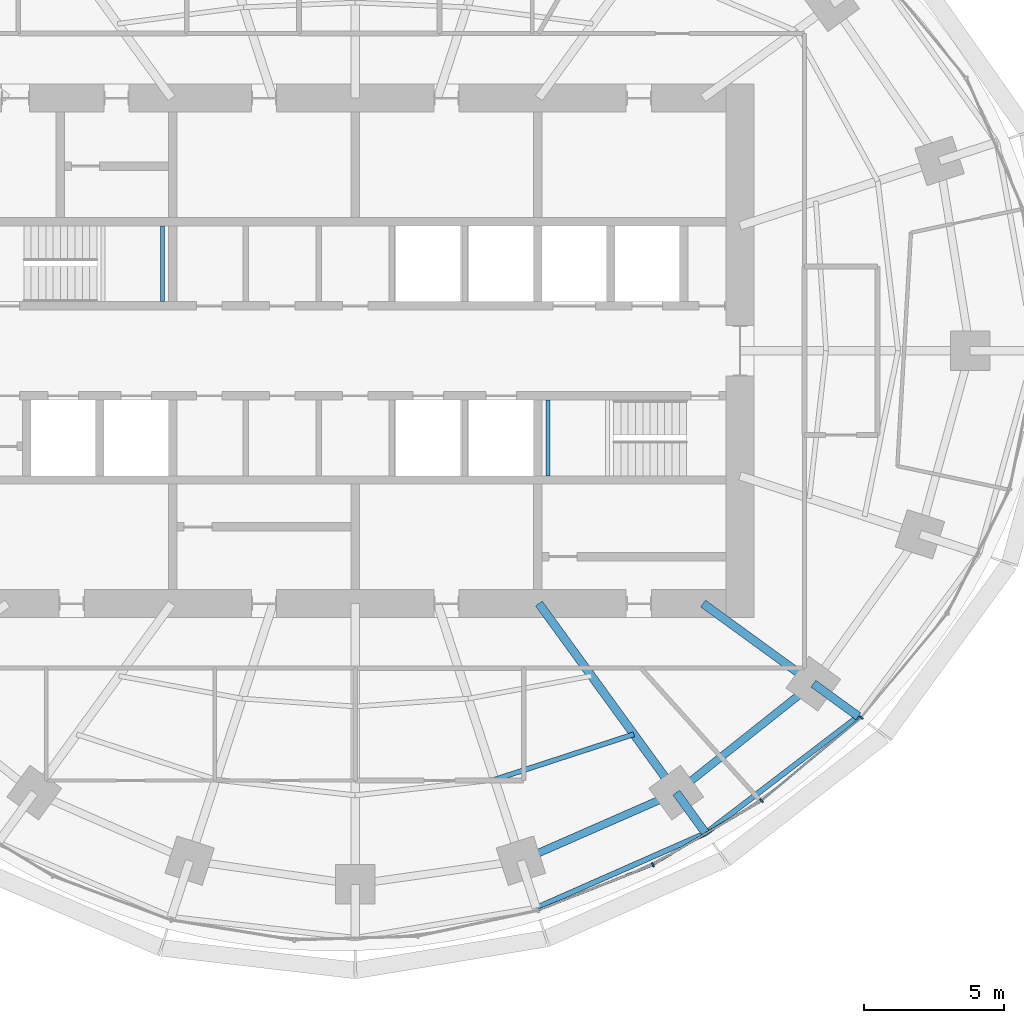
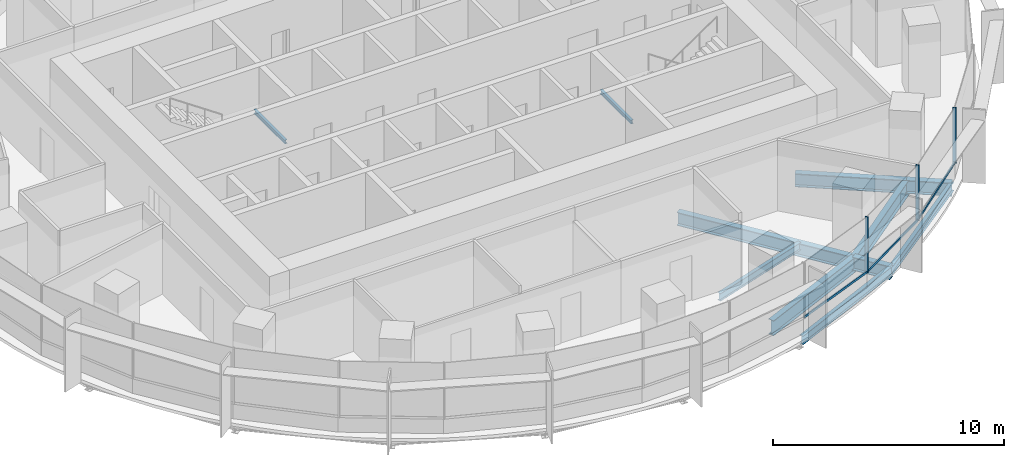
# One storey, part 5 of 14: 11 beams, 6 members, 2 elements without a shape of their own.
"""IFC4 building model written with IfcOpenShell, lengths in metres."""

from ifc_helpers import new_model, si_unit, direction, frame, origin, origin_2d, place, context, subcontext, project, spatial, rectangle, i_section, extrude, material, material_profile, profile_set, type_object, element, aggregate, save


model = new_model("IFC4")

# Units and contexts
model_context = context("Model", 3, precision=1e-05, world=origin(), true_north=direction((0.0, 1.0)))
body_context = subcontext(model_context, "Body", "Model", "MODEL_VIEW")
ifc_project = project(units=[si_unit("LENGTHUNIT", "METRE"), si_unit("AREAUNIT", "SQUARE_METRE"), si_unit("VOLUMEUNIT", "CUBIC_METRE"), si_unit("PLANEANGLEUNIT", "RADIAN"), si_unit("MASSUNIT", "GRAM", prefix="KILO")], contexts=[model_context])

# Site, building, storey
site_placement = place(None, origin())
site = spatial("IfcSite", under=ifc_project, at=site_placement, CompositionType="ELEMENT")
building_placement = place(site_placement, origin())
building = spatial("IfcBuilding", under=site, at=building_placement, Name="Marramba Exchange Tower", CompositionType="ELEMENT")
storey_placement = place(building_placement, frame((0.0, 0.0, 203.300048828125)))
storey = spatial("IfcBuildingStorey", under=building, at=storey_placement, Name="L49", CompositionType="ELEMENT", Elevation=203.300048828125)

# Beams
ifc_material_1 = material(Name="Steel AS/NZS 3679.2 grade 300", Category="steel")
ifc_material_profile_1 = material_profile(ifc_material_1, i_section(OverallWidth=0.300048828125, OverallDepth=0.699951171875, WebThickness=0.010009765625, FlangeThickness=0.031982421875, at=origin_2d()), Name="700WB173")
ifc_profile_set_1 = profile_set([ifc_material_profile_1], Name="Steel AS/NZS 3679.2 grade 300")
beam_type_1 = type_object("IfcBeamType", Name="Cantilever girder 700WB173", PredefinedType="BEAM", material=ifc_profile_set_1)
beam_1_placement = place(storey_placement, frame((11.430419921875, -15.732666015625, -0.510009765625), z_axis=(0.58783009415, -0.808984412959, 0.0), x_axis=(0.808984412959, 0.58783009415, 0.0)))
element("IfcBeam", 1, at=beam_1_placement, inside=storey, type_object=beam_type_1, Name="Cantilever girder L49 TC18", PredefinedType="BEAM", context=body_context, shape_type="SweptSolid", body=[
    extrude(i_section(OverallWidth=0.300048828125, OverallDepth=0.699951171875, WebThickness=0.010009765625, FlangeThickness=0.031982421875, at=origin_2d()), origin(), (0.0, 0.0, 1.0), 1.78515625),
])
beam_2_placement = place(storey_placement, frame((16.3154296875, -11.853759765625, -0.510009765625), z_axis=(0.808970801893, -0.587848825537, 0.0), x_axis=(0.587848825537, 0.808970801893, 0.0)))
element("IfcBeam", 2, at=beam_2_placement, inside=storey, type_object=beam_type_1, Name="Cantilever girder L49 TC19", PredefinedType="BEAM", context=body_context, shape_type="SweptSolid", body=[
    extrude(i_section(OverallWidth=0.300048828125, OverallDepth=0.699951171875, WebThickness=0.010009765625, FlangeThickness=0.031982421875, at=origin_2d()), origin(), (0.0, 0.0, 1.0), 1.978515625),
])
ifc_material_2 = material(Name="Steel AS/NZS 3679.1 grade 300", Category="steel")
ifc_material_profile_2 = material_profile(ifc_material_2, i_section(OverallWidth=0.177978515625, OverallDepth=0.406005859375, WebThickness=0.0078125, FlangeThickness=0.0126953125, FilletRadius=0.011474609375, at=origin_2d()), Name="410UB59.7")
ifc_profile_set_2 = profile_set([ifc_material_profile_2], Name="Steel AS/NZS 3679.1 grade 300")
beam_type_2 = type_object("IfcBeamType", Name="Floor joist 410UB59.7", PredefinedType="JOIST", material=ifc_profile_set_2)
beam_3_placement = place(storey_placement, frame((4.9619140625, -15.271484375, -0.363037109375), z_axis=(0.950764024931, 0.309915744834, 0.0), x_axis=(-0.309915744834, 0.950764024931, 0.0)))
element("IfcBeam", 3, at=beam_3_placement, inside=storey, type_object=beam_type_2, Name="Joist L49 bay 17 row 2", PredefinedType="JOIST", context=body_context, shape_type="SweptSolid", body=[
    extrude(i_section(OverallWidth=0.177978515625, OverallDepth=0.406005859375, WebThickness=0.0078125, FlangeThickness=0.0126953125, FilletRadius=0.011474609375, at=origin_2d()), origin(), (0.0, 0.0, 1.0), 5.2158203125),
])

# Curtain wall, members
ifc_material_3 = material(Name="Aluminium framing, bronze anodised", Category="aluminium")
curtain_wall_type = type_object("IfcCurtainWallType", Name="Office ribbon curtain wall", PredefinedType="USERDEFINED", material=ifc_material_3)
curtain_wall_1_placement = place(storey_placement, origin())
curtain_wall_1 = element("IfcCurtainWall", 4, at=curtain_wall_1_placement, inside=storey, type_object=curtain_wall_type, Name="Curtain wall CW4 L49 F26-F30", ObjectType="RIBBON CURTAIN WALL", PredefinedType="USERDEFINED")
ifc_material_4 = material(Name="Aluminium mullion, bronze anodised", Category="aluminium")
ifc_material_profile_3 = material_profile(ifc_material_4, rectangle(XDim=0.159912109375, YDim=0.06005859375, at=origin_2d()), Name="CW4 mullion 60x160")
ifc_profile_set_3 = profile_set([ifc_material_profile_3], Name="Aluminium mullion, bronze anodised")
member_type_1 = type_object("IfcMemberType", Name="Office ribbon curtain wall mullion", PredefinedType="MULLION", material=ifc_profile_set_3)
member_1_placement = place(storey_placement, frame((10.60009765625, -18.2998046875, 0.800048828125), z_axis=(0.0, 0.0, 1.0), x_axis=(-0.508010571686, 0.861350833897, 0.0)))
member_1 = element("IfcMember", 5, at=member_1_placement, type_object=member_type_1, Name="CW4 mullion 1", PredefinedType="MULLION", context=body_context, shape_type="SweptSolid", body=[
    extrude(rectangle(XDim=0.159912109375, YDim=0.06005859375, at=origin_2d()), origin(), (0.0, 0.0, 1.0), 2.93994140625),
])
member_2_placement = place(storey_placement, frame((14.461669921875, -16.0166015625, 0.800048828125), z_axis=(0.0, 0.0, 1.0), x_axis=(-0.639565270127, 0.768736798421, 0.0)))
member_2 = element("IfcMember", 6, at=member_2_placement, type_object=member_type_1, Name="CW4 mullion 1", PredefinedType="MULLION", context=body_context, shape_type="SweptSolid", body=[
    extrude(rectangle(XDim=0.159912109375, YDim=0.06005859375, at=origin_2d()), origin(), (0.0, 0.0, 1.0), 2.93994140625),
])
member_3_placement = place(storey_placement, frame((18.01611328125, -13.052490234375, 0.800048828125), z_axis=(0.0, 0.0, 1.0), x_axis=(-0.769912069289, 0.63814998673, 0.0)))
member_3 = element("IfcMember", 7, at=member_3_placement, type_object=member_type_1, Name="CW4 mullion 1", PredefinedType="MULLION", context=body_context, shape_type="SweptSolid", body=[
    extrude(rectangle(XDim=0.159912109375, YDim=0.06005859375, at=origin_2d()), origin(), (0.0, 0.0, 1.0), 2.93994140625),
])

# Curtain wall, member
curtain_wall_2_placement = place(storey_placement, origin())
curtain_wall_2 = element("IfcCurtainWall", 8, at=curtain_wall_2_placement, inside=storey, type_object=curtain_wall_type, Name="Curtain wall CW4 L49 F21-F25", ObjectType="RIBBON CURTAIN WALL", PredefinedType="USERDEFINED")
ifc_material_5 = material(Name="Aluminium transom, bronze anodised", Category="aluminium")
ifc_material_profile_4 = material_profile(ifc_material_5, rectangle(XDim=0.06005859375, YDim=0.1201171875, at=origin_2d()), Name="CW4 transom 60x120")
ifc_profile_set_4 = profile_set([ifc_material_profile_4], Name="Aluminium transom, bronze anodised")
member_type_2 = type_object("IfcMemberType", Name="Office ribbon curtain wall transom", PredefinedType="USERDEFINED", material=ifc_profile_set_4)
member_4_placement = place(storey_placement, frame((6.53271484375, -19.911376953125, 0.829833984375), z_axis=(0.930068344217, 0.367386547229, 0.0), x_axis=(-0.367386547229, 0.930068344217, 0.0)))
member_4 = element("IfcMember", 9, at=member_4_placement, type_object=member_type_2, Name="CW4 sill transom", ObjectType="TRANSOM", PredefinedType="USERDEFINED", context=body_context, shape_type="SweptSolid", body=[
    extrude(rectangle(XDim=0.06005859375, YDim=0.1201171875, at=origin_2d()), origin(), (0.0, 0.0, 1.0), 4.345458984375),
])
aggregate(curtain_wall_2, [member_4])

# Member
member_5_placement = place(storey_placement, frame((10.6259765625, -18.28466796875, 0.829833984375), z_axis=(0.861342387959, 0.508024891816, 0.0), x_axis=(-0.508024891816, 0.861342387959, 0.0)))
member_5 = element("IfcMember", 10, at=member_5_placement, type_object=member_type_2, Name="CW4 sill transom", ObjectType="TRANSOM", PredefinedType="USERDEFINED", context=body_context, shape_type="SweptSolid", body=[
    extrude(rectangle(XDim=0.06005859375, YDim=0.1201171875, at=origin_2d()), origin(), (0.0, 0.0, 1.0), 4.426513671875),
])

member_6_placement = place(storey_placement, frame((14.48486328125, -15.99755859375, 0.829833984375), z_axis=(0.768707257272, 0.639600775967, 0.0), x_axis=(-0.639600775967, 0.768707257272, 0.0)))
member_6 = element("IfcMember", 11, at=member_6_placement, type_object=member_type_2, Name="CW4 sill transom", ObjectType="TRANSOM", PredefinedType="USERDEFINED", context=body_context, shape_type="SweptSolid", body=[
    extrude(rectangle(XDim=0.06005859375, YDim=0.1201171875, at=origin_2d()), origin(), (0.0, 0.0, 1.0), 4.568603515625),
])

aggregate(curtain_wall_1, [member_1, member_5, member_2, member_6, member_3])

# Beams
ifc_material_profile_5 = material_profile(ifc_material_1, i_section(OverallWidth=0.300048828125, OverallDepth=0.699951171875, WebThickness=0.010009765625, FlangeThickness=0.031982421875, at=origin_2d()), Name="700WB173")
ifc_profile_set_5 = profile_set([ifc_material_profile_5], Name="Steel AS/NZS 3679.2 grade 300")
beam_type_3 = type_object("IfcBeamType", Name="Radial girder 700WB173", PredefinedType="BEAM", material=ifc_profile_set_5)
beam_4_placement = place(storey_placement, frame((6.538818359375, -9.0, -0.510009765625), z_axis=(0.587787877172, -0.809015087282, 0.0), x_axis=(0.809015087282, 0.587787877172, 0.0)))
element("IfcBeam", 12, at=beam_4_placement, inside=storey, type_object=beam_type_3, Name="Radial girder L49 TC18", PredefinedType="BEAM", context=body_context, shape_type="SweptSolid", body=[
    extrude(i_section(OverallWidth=0.300048828125, OverallDepth=0.699951171875, WebThickness=0.010009765625, FlangeThickness=0.031982421875, at=origin_2d()), origin(), (0.0, 0.0, 1.0), 8.322021484375),
])
beam_5_placement = place(storey_placement, frame((12.387451171875, -9.0, -0.510009765625), z_axis=(0.809025189606, -0.58777397236, 0.0), x_axis=(0.58777397236, 0.809025189606, 0.0)))
element("IfcBeam", 13, at=beam_5_placement, inside=storey, type_object=beam_type_3, Name="Radial girder L49 TC19", PredefinedType="BEAM", context=body_context, shape_type="SweptSolid", body=[
    extrude(i_section(OverallWidth=0.300048828125, OverallDepth=0.699951171875, WebThickness=0.010009765625, FlangeThickness=0.031982421875, at=origin_2d()), origin(), (0.0, 0.0, 1.0), 4.855224609375),
])
ifc_material_profile_6 = material_profile(ifc_material_1, i_section(OverallWidth=0.27490234375, OverallDepth=0.800048828125, WebThickness=0.010009765625, FlangeThickness=0.02490234375, at=origin_2d()), Name="800WB168")
ifc_profile_set_6 = profile_set([ifc_material_profile_6], Name="Steel AS/NZS 3679.2 grade 300")
beam_type_4 = type_object("IfcBeamType", Name="Ring beam 800WB168", PredefinedType="SPANDREL", material=ifc_profile_set_6)
beam_6_placement = place(storey_placement, frame((5.899658203125, -18.156982421875, -0.56005859375), z_axis=(0.915876892158, 0.4014592363, 0.0), x_axis=(-0.4014592363, 0.915876892158, 0.0)))
element("IfcBeam", 14, at=beam_6_placement, inside=storey, type_object=beam_type_4, Name="Ring beam L49 TC17-TC18", PredefinedType="SPANDREL", context=body_context, shape_type="SweptSolid", body=[
    extrude(i_section(OverallWidth=0.27490234375, OverallDepth=0.800048828125, WebThickness=0.010009765625, FlangeThickness=0.02490234375, at=origin_2d()), origin(), (0.0, 0.0, 1.0), 6.038818359375),
])
beam_7_placement = place(storey_placement, frame((11.430419921875, -15.732666015625, -0.56005859375), z_axis=(0.783139438128, 0.621846138887, 0.0), x_axis=(-0.621846138887, 0.783139438128, 0.0)))
element("IfcBeam", 15, at=beam_7_placement, inside=storey, type_object=beam_type_4, Name="Ring beam L49 TC18-TC19", PredefinedType="SPANDREL", context=body_context, shape_type="SweptSolid", body=[
    extrude(i_section(OverallWidth=0.27490234375, OverallDepth=0.800048828125, WebThickness=0.010009765625, FlangeThickness=0.02490234375, at=origin_2d()), origin(), (0.0, 0.0, 1.0), 6.23779296875),
])
ifc_material_profile_7 = material_profile(ifc_material_2, i_section(OverallWidth=0.19091796875, OverallDepth=0.4599609375, WebThickness=0.010009765625, FlangeThickness=0.01611328125, FilletRadius=0.011474609375, at=origin_2d()), Name="460UB82.1")
ifc_profile_set_7 = profile_set([ifc_material_profile_7], Name="Steel AS/NZS 3679.1 grade 300")
beam_type_5 = type_object("IfcBeamType", Name="Slab edge beam 460UB82.1", PredefinedType="SPANDREL", material=ifc_profile_set_7)
beam_8_placement = place(storey_placement, frame((6.44580078125, -19.83837890625, -0.39013671875), z_axis=(0.914940719579, 0.403588255102, 0.0), x_axis=(-0.403588255102, 0.914940719579, 0.0)))
element("IfcBeam", 16, at=beam_8_placement, inside=storey, type_object=beam_type_5, Name="Slab edge beam L49 TC17-TC18", PredefinedType="SPANDREL", context=body_context, shape_type="SweptSolid", body=[
    extrude(i_section(OverallWidth=0.19091796875, OverallDepth=0.4599609375, WebThickness=0.010009765625, FlangeThickness=0.01611328125, FilletRadius=0.011474609375, at=origin_2d()), origin(), (0.0, 0.0, 1.0), 6.594970703125),
])
beam_9_placement = place(storey_placement, frame((12.479736328125, -17.1767578125, -0.39013671875), z_axis=(0.794163423189, 0.607704251481, 0.0), x_axis=(-0.607704251481, 0.794163423189, 0.0)))
element("IfcBeam", 17, at=beam_9_placement, inside=storey, type_object=beam_type_5, Name="Slab edge beam L49 TC18-TC19", PredefinedType="SPANDREL", context=body_context, shape_type="SweptSolid", body=[
    extrude(i_section(OverallWidth=0.19091796875, OverallDepth=0.4599609375, WebThickness=0.010009765625, FlangeThickness=0.01611328125, FilletRadius=0.011474609375, at=origin_2d()), origin(), (0.0, 0.0, 1.0), 6.84521484375),
])
ifc_material_profile_8 = material_profile(ifc_material_2, i_section(OverallWidth=0.133056640625, OverallDepth=0.202880859375, WebThickness=0.005859375, FlangeThickness=0.0078125, FilletRadius=0.0087890625, at=origin_2d()), Name="200UB25.4")
ifc_profile_set_8 = profile_set([ifc_material_profile_8], Name="Steel AS/NZS 3679.1 grade 300")
beam_type_6 = type_object("IfcBeamType", Name="Stair landing beam 200UB25.4", PredefinedType="BEAM", material=ifc_profile_set_8)
for number, where, z_axis, x_axis, name in (
    (18, (-6.866455078125, 1.75, 1.6484375), (0.0, 1.0, 0.0), (-1.0, 0.0, 0.0), "Stair landing beam SLB1 ST1 L49 2"),
    (19, (6.866455078125, -4.449951171875, 1.6484375), (0.0, 1.0, 0.0), (-1.0, 0.0, 0.0), "Stair landing beam SLB1 ST2 L49 1"),
):
    element("IfcBeam", number, at=place(storey_placement, frame(where, z_axis=z_axis, x_axis=x_axis)), inside=storey, type_object=beam_type_6, Name=name, PredefinedType="BEAM", context=body_context, shape_type="SweptSolid", body=[
        extrude(i_section(OverallWidth=0.133056640625, OverallDepth=0.202880859375, WebThickness=0.005859375, FlangeThickness=0.0078125, FilletRadius=0.0087890625, at=origin_2d()), origin(), (0.0, 0.0, 1.0), 2.699951171875),
    ])

save(model, "model.ifc")
